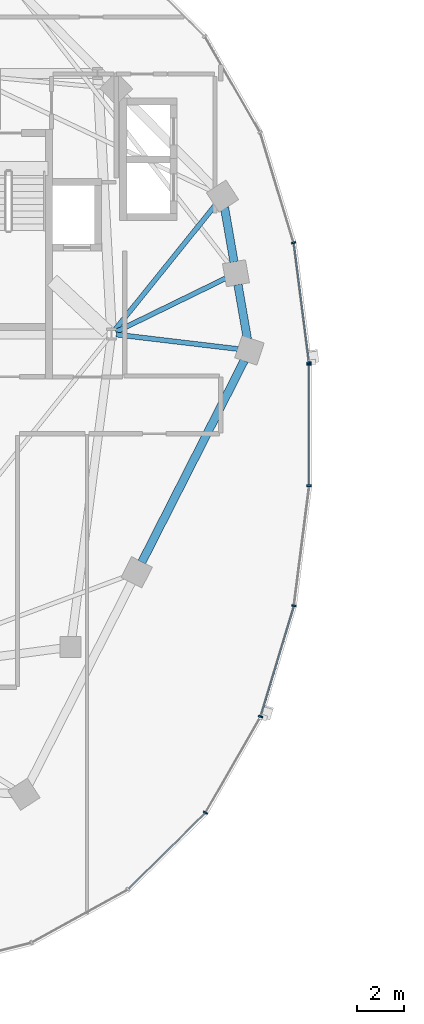
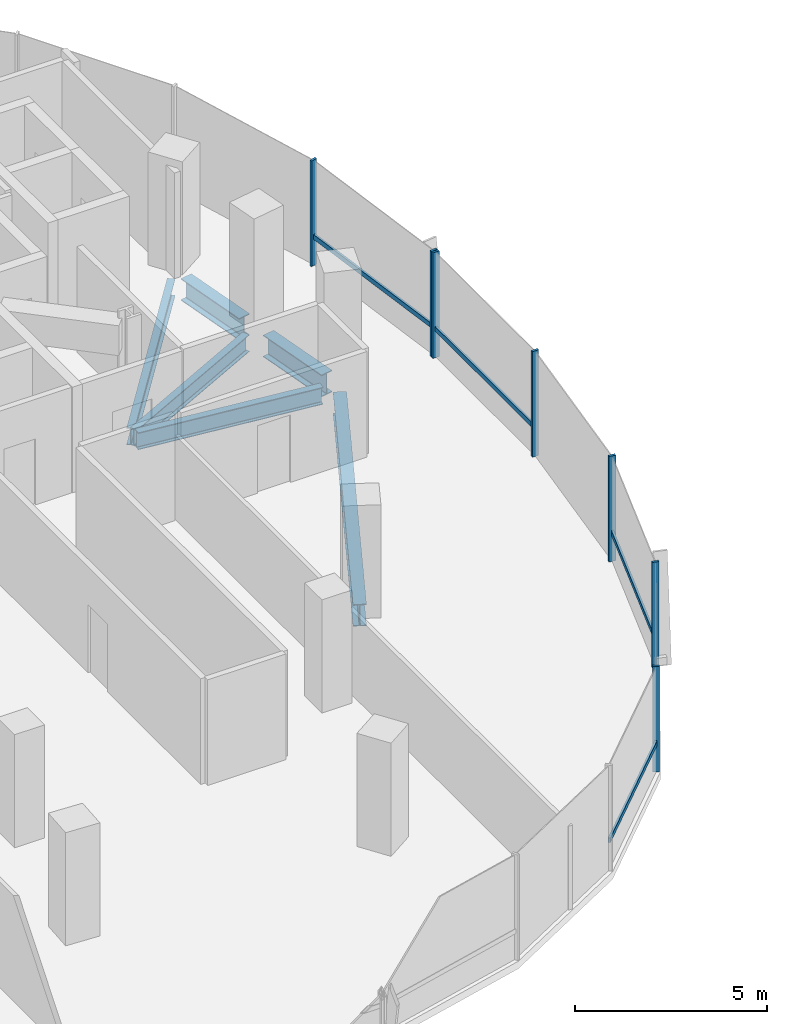
# One storey, part 4 of 22: 11 members, 6 beams, 2 elements without a shape of their own.
"""IFC4 building model written with IfcOpenShell, lengths in metres."""

from ifc_helpers import new_model, si_unit, direction, frame, origin, origin_2d, place, context, subcontext, project, spatial, rectangle, i_section, extrude, material, material_profile, profile_set, type_object, element, aggregate, save


model = new_model("IFC4")

# Units and contexts
model_context = context("Model", 3, precision=1e-05, world=origin(), true_north=direction((0.0, 1.0)))
body_context = subcontext(model_context, "Body", "Model", "MODEL_VIEW")
ifc_project = project(units=[si_unit("LENGTHUNIT", "METRE"), si_unit("AREAUNIT", "SQUARE_METRE"), si_unit("VOLUMEUNIT", "CUBIC_METRE"), si_unit("PLANEANGLEUNIT", "RADIAN"), si_unit("MASSUNIT", "GRAM", prefix="KILO"), si_unit("THERMODYNAMICTEMPERATUREUNIT", "KELVIN"), si_unit("POWERUNIT", "WATT")], contexts=[model_context])

# Site, building, storey
site_placement = place(None, origin())
site = spatial("IfcSite", under=ifc_project, at=site_placement, CompositionType="ELEMENT")
building_placement = place(site_placement, origin())
building = spatial("IfcBuilding", under=site, at=building_placement, Name="Cundina Bronze Exchange", CompositionType="ELEMENT")
storey_placement = place(building_placement, frame((0.0, 0.0, 140.39990234375)))
storey = spatial("IfcBuildingStorey", under=building, at=storey_placement, Name="L36", CompositionType="ELEMENT", Elevation=140.39990234375)

# Beams
ifc_material_1 = material(Name="Steel ASTM A992 Grade 50", Category="steel")
ifc_material_profile_1 = material_profile(ifc_material_1, i_section(OverallWidth=0.2119140625, OverallDepth=0.5439453125, WebThickness=0.01318359375, FlangeThickness=0.021240234375, FilletRadius=0.013916015625, at=origin_2d()), Name="W21X83", Category="steel")
ifc_profile_set_1 = profile_set([ifc_material_profile_1], Name="Steel ASTM A992 Grade 50")
beam_type_1 = type_object("IfcBeamType", Name="BM-FLR-W21A", PredefinedType="BEAM", material=ifc_profile_set_1)
beam_1_placement = place(storey_placement, frame((-21.247314453125, 3.8759765625, -0.511962890625), z_axis=(0.993036158382, -0.11780996624, 0.0), x_axis=(0.11780996624, 0.993036158382, 0.0)))
element("IfcBeam", 1, at=beam_1_placement, inside=storey, type_object=beam_type_1, Name="L36 Leg W Radial Floor Beam 00", PredefinedType="BEAM", context=body_context, shape_type="SweptSolid", body=[
    extrude(i_section(OverallWidth=0.2119140625, OverallDepth=0.5439453125, WebThickness=0.01318359375, FlangeThickness=0.021240234375, FilletRadius=0.013916015625, at=origin_2d()), origin(), (0.0, 0.0, 1.0), 5.249267578125),
])
beam_2_placement = place(storey_placement, frame((-21.2666015625, 3.989501953125, -0.511962890625), z_axis=(0.898604300669, 0.438759969481, 0.0), x_axis=(-0.438759969481, 0.898604300669, 0.0)))
element("IfcBeam", 2, at=beam_2_placement, inside=storey, type_object=beam_type_1, Name="L36 Leg W Radial Floor Beam 01", PredefinedType="BEAM", context=body_context, shape_type="SweptSolid", body=[
    extrude(i_section(OverallWidth=0.2119140625, OverallDepth=0.5439453125, WebThickness=0.01318359375, FlangeThickness=0.021240234375, FilletRadius=0.013916015625, at=origin_2d()), origin(), (0.0, 0.0, 1.0), 5.23388671875),
])
beam_3_placement = place(storey_placement, frame((-21.322021484375, 4.058837890625, -0.511962890625), z_axis=(0.627088684379, 0.778947868553, 0.0), x_axis=(-0.778947868553, 0.627088684379, 0.0)))
element("IfcBeam", 3, at=beam_3_placement, inside=storey, type_object=beam_type_1, Name="L36 Leg W Radial Floor Beam 02", PredefinedType="BEAM", context=body_context, shape_type="SweptSolid", body=[
    extrude(i_section(OverallWidth=0.2119140625, OverallDepth=0.5439453125, WebThickness=0.01318359375, FlangeThickness=0.021240234375, FilletRadius=0.013916015625, at=origin_2d()), origin(), (0.0, 0.0, 1.0), 6.882568359375),
])
ifc_material_profile_2 = material_profile(ifc_material_1, i_section(OverallWidth=0.35498046875, OverallDepth=0.695068359375, WebThickness=0.015380859375, FlangeThickness=0.02490234375, FilletRadius=0.01806640625, at=origin_2d()), Name="W27X146", Category="steel")
ifc_profile_set_2 = profile_set([ifc_material_profile_2], Name="Steel ASTM A992 Grade 50")
beam_type_2 = type_object("IfcBeamType", Name="BM-RING-W27", PredefinedType="USERDEFINED", material=ifc_profile_set_2)
for number, where, z_axis, x_axis, name in (
    (4, (-15.6337890625, 3.680908203125, -0.58740234375), (-0.171666718895, 0.985155083032, 0.0), (-0.985155083032, -0.171666718895, 0.0), "L36 W Perimeter Ring Girder 00"),
    (5, (-16.208740234375, 6.980712890625, -0.58740234375), (-0.171666718895, 0.985155083032, 0.0), (-0.985155083032, -0.171666718895, 0.0), "L36 W Perimeter Ring Girder 01"),
):
    element("IfcBeam", number, at=place(storey_placement, frame(where, z_axis=z_axis, x_axis=x_axis)), inside=storey, type_object=beam_type_2, Name=name, ObjectType="GIRDER", PredefinedType="USERDEFINED", context=body_context, shape_type="SweptSolid", body=[
        extrude(i_section(OverallWidth=0.35498046875, OverallDepth=0.695068359375, WebThickness=0.015380859375, FlangeThickness=0.02490234375, FilletRadius=0.01806640625, at=origin_2d()), origin(), (0.0, 0.0, 1.0), 2.37353515625),
    ])
beam_4_placement = place(storey_placement, frame((-20.154052734375, -5.864990234375, -0.58740234375), z_axis=(0.452834585354, 0.891594548159, 0.0), x_axis=(-0.891594548159, 0.452834585354, 0.0)))
element("IfcBeam", 6, at=beam_4_placement, inside=storey, type_object=beam_type_2, Name="L36 W Perimeter Ring Girder 13", ObjectType="GIRDER", PredefinedType="USERDEFINED", context=body_context, shape_type="SweptSolid", body=[
    extrude(i_section(OverallWidth=0.35498046875, OverallDepth=0.695068359375, WebThickness=0.015380859375, FlangeThickness=0.02490234375, FilletRadius=0.01806640625, at=origin_2d()), origin(), (0.0, 0.0, 1.0), 9.67919921875),
])

# Curtain wall, members
ifc_material_2 = material(Name="Anodised Bronze Aluminium 6063-T6", Category="aluminium")
curtain_wall_type = type_object("IfcCurtainWallType", Name="CWS-WST-PIN", PredefinedType="NOTDEFINED", material=ifc_material_2)
curtain_wall_1_placement = place(storey_placement, origin())
curtain_wall_1 = element("IfcCurtainWall", 7, at=curtain_wall_1_placement, inside=storey, type_object=curtain_wall_type, Name="L36 CW-04 Curtain Wall Run CWR-L36-W1", PredefinedType="NOTDEFINED")
ifc_material_profile_3 = material_profile(ifc_material_2, rectangle(XDim=0.070068359375, YDim=0.18994140625, at=origin_2d()), Name="AL70X190", Category="aluminium")
ifc_profile_set_3 = profile_set([ifc_material_profile_3], Name="Anodised Bronze Aluminium 6063-T6")
member_type_1 = type_object("IfcMemberType", Name="CWM-MUL-190", PredefinedType="MULLION", material=ifc_profile_set_3)
member_1_placement = place(storey_placement, frame((-12.998291015625, 2.676025390625, 0.0), z_axis=(0.0, 0.0, 1.0), x_axis=(-0.126545236492, 0.991960837494, 0.0)))
member_1 = element("IfcMember", 8, at=member_1_placement, type_object=member_type_1, Name="CW-04 Mullion 1", PredefinedType="MULLION", context=body_context, shape_type="SweptSolid", body=[
    extrude(rectangle(XDim=0.070068359375, YDim=0.18994140625, at=origin_2d()), origin(), (0.0, 0.0, 1.0), 3.360107421875),
])
member_2_placement = place(storey_placement, frame((-13.6591796875, 7.80859375, 0.0), z_axis=(0.0, 0.0, 1.0), x_axis=(-0.290034140915, 0.957016299288, 0.0)))
member_2 = element("IfcMember", 9, at=member_2_placement, type_object=member_type_1, Name="CW-04 Mullion 2", PredefinedType="MULLION", context=body_context, shape_type="SweptSolid", body=[
    extrude(rectangle(XDim=0.070068359375, YDim=0.18994140625, at=origin_2d()), origin(), (0.0, 0.0, 1.0), 3.360107421875),
])

curtain_wall_2_placement = place(storey_placement, origin())
curtain_wall_2 = element("IfcCurtainWall", 10, at=curtain_wall_2_placement, inside=storey, type_object=curtain_wall_type, Name="L36 CW-04 Curtain Wall Run CWR-L36-W4", PredefinedType="NOTDEFINED")
member_3_placement = place(storey_placement, frame((-17.42919921875, -16.588134765625, 0.0), z_axis=(0.0, 0.0, 1.0), x_axis=(0.498487739754, 0.866896748936, 0.0)))
member_3 = element("IfcMember", 11, at=member_3_placement, type_object=member_type_1, Name="CW-04 Mullion 4", PredefinedType="MULLION", context=body_context, shape_type="SweptSolid", body=[
    extrude(rectangle(XDim=0.070068359375, YDim=0.18994140625, at=origin_2d()), origin(), (0.0, 0.0, 1.0), 3.360107421875),
])
member_4_placement = place(storey_placement, frame((-15.07373046875, -12.4755859375, 0.0), z_axis=(0.0, 0.0, 1.0), x_axis=(0.290034140915, 0.957016299288, 0.0)))
member_4 = element("IfcMember", 12, at=member_4_placement, type_object=member_type_1, Name="CW-04 Mullion 5", PredefinedType="MULLION", context=body_context, shape_type="SweptSolid", body=[
    extrude(rectangle(XDim=0.070068359375, YDim=0.18994140625, at=origin_2d()), origin(), (0.0, 0.0, 1.0), 3.360107421875),
])
member_5_placement = place(storey_placement, frame((-13.642822265625, -7.731689453125, 0.0), z_axis=(0.0, 0.0, 1.0), x_axis=(0.126545236492, 0.991960837494, 0.0)))
member_5 = element("IfcMember", 13, at=member_5_placement, type_object=member_type_1, Name="CW-04 Mullion 6", PredefinedType="MULLION", context=body_context, shape_type="SweptSolid", body=[
    extrude(rectangle(XDim=0.070068359375, YDim=0.18994140625, at=origin_2d()), origin(), (0.0, 0.0, 1.0), 3.360107421875),
])
member_6_placement = place(storey_placement, frame((-12.992919921875, -2.593017578125, 0.0), z_axis=(0.0, 0.0, 1.0), x_axis=(0.0, 1.0, 0.0)))
member_6 = element("IfcMember", 14, at=member_6_placement, type_object=member_type_1, Name="CW-04 Mullion 7", PredefinedType="MULLION", context=body_context, shape_type="SweptSolid", body=[
    extrude(rectangle(XDim=0.070068359375, YDim=0.18994140625, at=origin_2d()), origin(), (0.0, 0.0, 1.0), 3.360107421875),
])
member_7_placement = place(storey_placement, frame((-12.992919921875, 2.593017578125, 0.0), z_axis=(0.0, 0.0, 1.0), x_axis=(0.0, 1.0, 0.0)))
member_7 = element("IfcMember", 15, at=member_7_placement, type_object=member_type_1, Name="CW-04 End Mullion", PredefinedType="MULLION", context=body_context, shape_type="SweptSolid", body=[
    extrude(rectangle(XDim=0.070068359375, YDim=0.18994140625, at=origin_2d()), origin(), (0.0, 0.0, 1.0), 3.360107421875),
])

# Member
ifc_material_profile_4 = material_profile(ifc_material_2, rectangle(XDim=0.06494140625, YDim=0.14990234375, at=origin_2d()), Name="AL65X150", Category="aluminium")
ifc_profile_set_4 = profile_set([ifc_material_profile_4], Name="Anodised Bronze Aluminium 6063-T6")
member_type_2 = type_object("IfcMemberType", Name="CWM-TRN-150", PredefinedType="USERDEFINED", material=ifc_profile_set_4)
member_8_placement = place(storey_placement, frame((-13.003173828125, 2.71435546875, 0.920166015625), z_axis=(-0.12646340362, 0.991971273548, 0.0), x_axis=(-0.991971273548, -0.12646340362, 0.0)))
member_8 = element("IfcMember", 16, at=member_8_placement, type_object=member_type_2, Name="CW-04 Spandrel Transom 1", ObjectType="TRANSOM", PredefinedType="USERDEFINED", context=body_context, shape_type="SweptSolid", body=[
    extrude(rectangle(XDim=0.06494140625, YDim=0.14990234375, at=origin_2d()), origin(), (0.0, 0.0, 1.0), 5.0966796875),
])

aggregate(curtain_wall_1, [member_1, member_8, member_2])

member_9_placement = place(storey_placement, frame((-20.71337890625, -19.839599609375, 0.920166015625), z_axis=(0.712005023839, 0.702174370102, 0.0), x_axis=(-0.702174370102, 0.712005023839, 0.0)))
member_9 = element("IfcMember", 17, at=member_9_placement, type_object=member_type_2, Name="CW-04 Spandrel Transom 3", ObjectType="TRANSOM", PredefinedType="USERDEFINED", context=body_context, shape_type="SweptSolid", body=[
    extrude(rectangle(XDim=0.06494140625, YDim=0.14990234375, at=origin_2d()), origin(), (0.0, 0.0, 1.0), 4.594482421875),
])

member_10_placement = place(storey_placement, frame((-15.062744140625, -12.43896484375, 0.920166015625), z_axis=(0.290051855969, 0.957010930371, 0.0), x_axis=(-0.957010930371, 0.290051855969, 0.0)))
member_10 = element("IfcMember", 18, at=member_10_placement, type_object=member_type_2, Name="CW-04 Spandrel Transom 5", ObjectType="TRANSOM", PredefinedType="USERDEFINED", context=body_context, shape_type="SweptSolid", body=[
    extrude(rectangle(XDim=0.06494140625, YDim=0.14990234375, at=origin_2d()), origin(), (0.0, 0.0, 1.0), 4.876953125),
])

member_11_placement = place(storey_placement, frame((-12.992919921875, -2.554443359375, 0.920166015625), z_axis=(0.0, 1.0, 0.0), x_axis=(-1.0, 0.0, 0.0)))
member_11 = element("IfcMember", 19, at=member_11_placement, type_object=member_type_2, Name="CW-04 Spandrel Transom 7", ObjectType="TRANSOM", PredefinedType="USERDEFINED", context=body_context, shape_type="SweptSolid", body=[
    extrude(rectangle(XDim=0.06494140625, YDim=0.14990234375, at=origin_2d()), origin(), (0.0, 0.0, 1.0), 5.10888671875),
])

aggregate(curtain_wall_2, [member_9, member_3, member_4, member_10, member_5, member_6, member_7, member_11])

save(model, "model.ifc")
